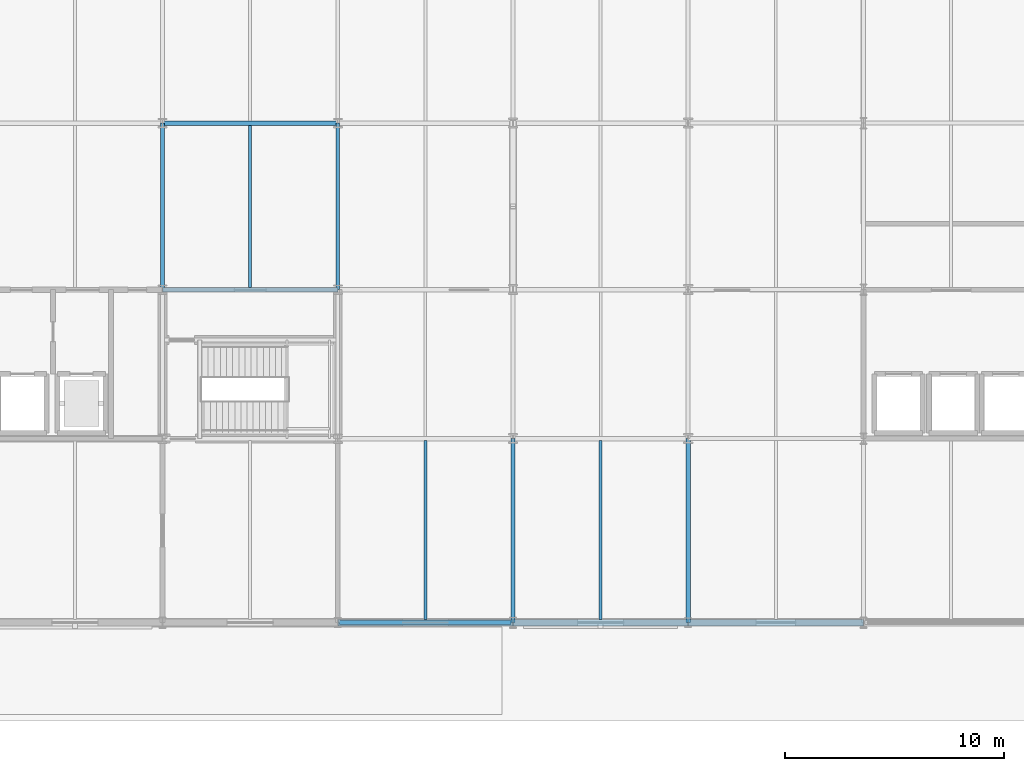
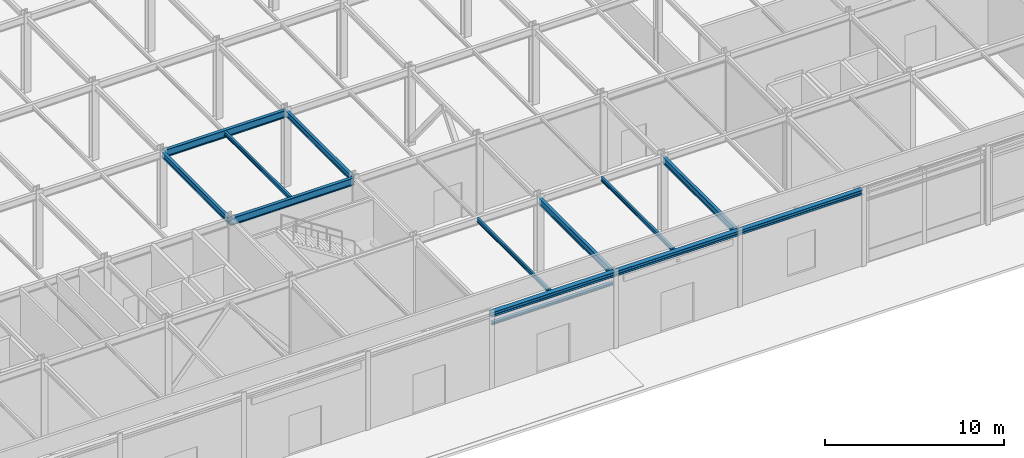
# One storey, part 25 of 89: 13 beams.
"""IFC4 building model written with IfcOpenShell, lengths in metres."""

from ifc_helpers import new_model, si_unit, direction, frame, origin, origin_2d, place, context, subcontext, project, spatial, i_section, extrude, material, material_profile, profile_set, type_object, element, save


model = new_model("IFC4")

# Units and contexts
model_context = context("Model", 3, precision=1e-05, world=origin(), true_north=direction((0.0, 1.0)))
body_context = subcontext(model_context, "Body", "Model", "MODEL_VIEW")
ifc_project = project(units=[si_unit("LENGTHUNIT", "METRE"), si_unit("AREAUNIT", "SQUARE_METRE"), si_unit("VOLUMEUNIT", "CUBIC_METRE"), si_unit("PLANEANGLEUNIT", "RADIAN"), si_unit("MASSUNIT", "GRAM", prefix="KILO")], contexts=[model_context])

# Site, building, storey
site_placement = place(None, origin())
site = spatial("IfcSite", under=ifc_project, at=site_placement, CompositionType="ELEMENT")
building_placement = place(site_placement, origin())
building = spatial("IfcBuilding", under=site, at=building_placement, Name="Shalkamar Park Central Library", CompositionType="ELEMENT")
storey_placement = place(building_placement, origin())
storey = spatial("IfcBuildingStorey", under=building, at=storey_placement, Name="L01", CompositionType="ELEMENT", Elevation=0.0)

# Beams
ifc_material = material(Name="Steel S355", Category="steel")
ifc_material_profile_1 = material_profile(ifc_material, i_section(OverallWidth=0.135009765625, OverallDepth=0.27001953125, WebThickness=0.006591796875, FlangeThickness=0.01025390625, FilletRadius=0.014892578125, at=origin_2d()), Name="IPE 270")
ifc_profile_set_1 = profile_set([ifc_material_profile_1], Name="Steel S355")
beam_type_1 = type_object("IfcBeamType", Name="Composite Floor Joist IPE270", PredefinedType="JOIST", material=ifc_profile_set_1)
beam_1_placement = place(storey_placement, frame((201.0, 255.298095703125, 5.0048828125), z_axis=(0.0, 1.0, 0.0), x_axis=(-1.0, 0.0, 0.0)))
element("IfcBeam", 1, at=beam_1_placement, inside=storey, type_object=beam_type_1, Name="Composite Joist 11/C-1 (L01)", PredefinedType="JOIST", context=body_context, shape_type="SweptSolid", body=[
    extrude(i_section(OverallWidth=0.135009765625, OverallDepth=0.27001953125, WebThickness=0.006591796875, FlangeThickness=0.01025390625, FilletRadius=0.014892578125, at=origin_2d()), origin(), (0.0, 0.0, 1.0), 7.40380859375),
])
for number, where, z_axis, x_axis, name in (
    (2, (209.0, 240.14794921875, 5.0048828125), (0.0, 1.0, 0.0), (-1.0, 0.0, 0.0), "Composite Joist 12/A-1 (L01)"),
    (3, (217.0, 240.14794921875, 5.0048828125), (0.0, 1.0, 0.0), (-1.0, 0.0, 0.0), "Composite Joist 13/A-1 (L01)"),
):
    element("IfcBeam", number, at=place(storey_placement, frame(where, z_axis=z_axis, x_axis=x_axis)), inside=storey, type_object=beam_type_1, Name=name, PredefinedType="JOIST", context=body_context, shape_type="SweptSolid", body=[
        extrude(i_section(OverallWidth=0.135009765625, OverallDepth=0.27001953125, WebThickness=0.006591796875, FlangeThickness=0.01025390625, FilletRadius=0.014892578125, at=origin_2d()), origin(), (0.0, 0.0, 1.0), 8.154052734375),
    ])
ifc_material_profile_2 = material_profile(ifc_material, i_section(OverallWidth=0.199951171875, OverallDepth=0.18994140625, WebThickness=0.006591796875, FlangeThickness=0.010009765625, FilletRadius=0.01806640625, at=origin_2d()), Name="HEA 200")
ifc_profile_set_2 = profile_set([ifc_material_profile_2], Name="Steel S355")
beam_type_2 = type_object("IfcBeamType", Name="Opening Lintel Beam HEA200", PredefinedType="LINTEL", material=ifc_profile_set_2)
beam_2_placement = place(storey_placement, frame((205.080078125, 240.0, 4.35009765625), z_axis=(1.0, 0.0, 0.0), x_axis=(0.0, 1.0, 0.0)))
element("IfcBeam", 4, at=beam_2_placement, inside=storey, type_object=beam_type_2, Name="Opening Lintel L01-05", PredefinedType="LINTEL", context=body_context, shape_type="SweptSolid", body=[
    extrude(i_section(OverallWidth=0.199951171875, OverallDepth=0.18994140625, WebThickness=0.006591796875, FlangeThickness=0.010009765625, FilletRadius=0.01806640625, at=origin_2d()), origin(), (0.0, 0.0, 1.0), 7.83984375),
])
ifc_material_profile_3 = material_profile(ifc_material, i_section(OverallWidth=0.300048828125, OverallDepth=0.31005859375, WebThickness=0.009033203125, FlangeThickness=0.015380859375, FilletRadius=0.027099609375, at=origin_2d()), Name="HEA 320")
ifc_profile_set_3 = profile_set([ifc_material_profile_3], Name="Steel S355")
beam_type_3 = type_object("IfcBeamType", Name="Perimeter Spandrel Beam HEA320", PredefinedType="SPANDREL", material=ifc_profile_set_3)
for number, where, z_axis, x_axis, name in (
    (5, (205.0, 240.0, 4.9951171875), (1.0, 0.0, 0.0), (0.0, 1.0, 0.0), "Beam A:12-13 (L01)"),
    (6, (213.0, 240.0, 4.9951171875), (1.0, 0.0, 0.0), (0.0, 1.0, 0.0), "Beam A:13-14 (L01)"),
    (7, (221.0, 240.0, 4.9951171875), (1.0, 0.0, 0.0), (0.0, 1.0, 0.0), "Beam A:14-15 (L01)"),
):
    element("IfcBeam", number, at=place(storey_placement, frame(where, z_axis=z_axis, x_axis=x_axis)), inside=storey, type_object=beam_type_3, Name=name, PredefinedType="SPANDREL", context=body_context, shape_type="SweptSolid", body=[
        extrude(i_section(OverallWidth=0.300048828125, OverallDepth=0.31005859375, WebThickness=0.009033203125, FlangeThickness=0.015380859375, FilletRadius=0.027099609375, at=origin_2d()), origin(), (0.0, 0.0, 1.0), 8.0),
    ])
ifc_material_profile_4 = material_profile(ifc_material, i_section(OverallWidth=0.179931640625, OverallDepth=0.39990234375, WebThickness=0.008544921875, FlangeThickness=0.013427734375, FilletRadius=0.02099609375, at=origin_2d()), Name="IPE 400")
ifc_profile_set_4 = profile_set([ifc_material_profile_4], Name="Steel S355")
beam_type_4 = type_object("IfcBeamType", Name="Primary Girder IPE400", PredefinedType="BEAM", material=ifc_profile_set_4)
for number, where, z_axis, x_axis, name in (
    (8, (197.0, 255.199951171875, 4.93994140625), (0.0, 1.0, 0.0), (-1.0, 0.0, 0.0), "Beam 11:C-D (L01)"),
    (9, (205.0, 255.199951171875, 4.93994140625), (0.0, 1.0, 0.0), (-1.0, 0.0, 0.0), "Beam 12:C-D (L01)"),
):
    element("IfcBeam", number, at=place(storey_placement, frame(where, z_axis=z_axis, x_axis=x_axis)), inside=storey, type_object=beam_type_4, Name=name, PredefinedType="BEAM", context=body_context, shape_type="SweptSolid", body=[
        extrude(i_section(OverallWidth=0.179931640625, OverallDepth=0.39990234375, WebThickness=0.008544921875, FlangeThickness=0.013427734375, FilletRadius=0.02099609375, at=origin_2d()), origin(), (0.0, 0.0, 1.0), 7.60009765625),
    ])
ifc_material_profile_5 = material_profile(ifc_material, i_section(OverallWidth=0.18994140625, OverallDepth=0.449951171875, WebThickness=0.009521484375, FlangeThickness=0.0146484375, FilletRadius=0.02099609375, at=origin_2d()), Name="IPE 450")
ifc_profile_set_5 = profile_set([ifc_material_profile_5], Name="Steel S355")
beam_type_5 = type_object("IfcBeamType", Name="Primary Girder IPE450", PredefinedType="BEAM", material=ifc_profile_set_5)
for number, where, z_axis, x_axis, name in (
    (10, (213.0, 240.0, 4.9150390625), (0.0, 1.0, 0.0), (-1.0, 0.0, 0.0), "Beam 13:A-B (L01)"),
    (11, (221.0, 240.0, 4.9150390625), (0.0, 1.0, 0.0), (-1.0, 0.0, 0.0), "Beam 14:A-B (L01)"),
):
    element("IfcBeam", number, at=place(storey_placement, frame(where, z_axis=z_axis, x_axis=x_axis)), inside=storey, type_object=beam_type_5, Name=name, PredefinedType="BEAM", context=body_context, shape_type="SweptSolid", body=[
        extrude(i_section(OverallWidth=0.18994140625, OverallDepth=0.449951171875, WebThickness=0.009521484375, FlangeThickness=0.0146484375, FilletRadius=0.02099609375, at=origin_2d()), origin(), (0.0, 0.0, 1.0), 8.39990234375),
    ])
ifc_material_profile_6 = material_profile(ifc_material, i_section(OverallWidth=0.199951171875, OverallDepth=0.5, WebThickness=0.01025390625, FlangeThickness=0.01611328125, FilletRadius=0.02099609375, at=origin_2d()), Name="IPE 500")
ifc_profile_set_6 = profile_set([ifc_material_profile_6], Name="Steel S355")
beam_type_6 = type_object("IfcBeamType", Name="Primary Girder IPE500", PredefinedType="BEAM", material=ifc_profile_set_6)
for number, where, z_axis, x_axis, name in (
    (12, (197.0, 255.199951171875, 4.889892578125), (1.0, 0.0, 0.0), (0.0, 1.0, 0.0), "Beam C:11-12 (L01)"),
    (13, (197.0, 262.800048828125, 4.889892578125), (1.0, 0.0, 0.0), (0.0, 1.0, 0.0), "Beam D:11-12 (L01)"),
):
    element("IfcBeam", number, at=place(storey_placement, frame(where, z_axis=z_axis, x_axis=x_axis)), inside=storey, type_object=beam_type_6, Name=name, PredefinedType="BEAM", context=body_context, shape_type="SweptSolid", body=[
        extrude(i_section(OverallWidth=0.199951171875, OverallDepth=0.5, WebThickness=0.01025390625, FlangeThickness=0.01611328125, FilletRadius=0.02099609375, at=origin_2d()), origin(), (0.0, 0.0, 1.0), 8.0),
    ])

save(model, "model.ifc")
